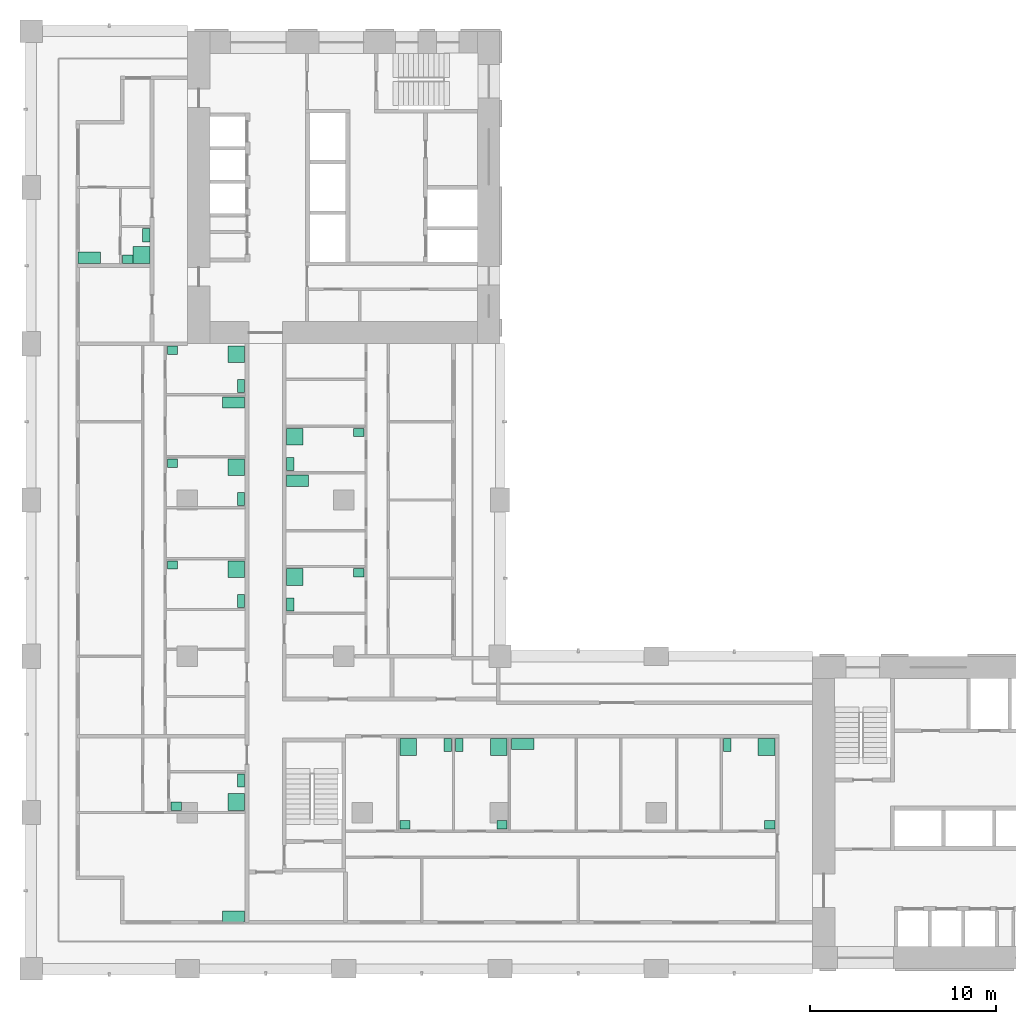
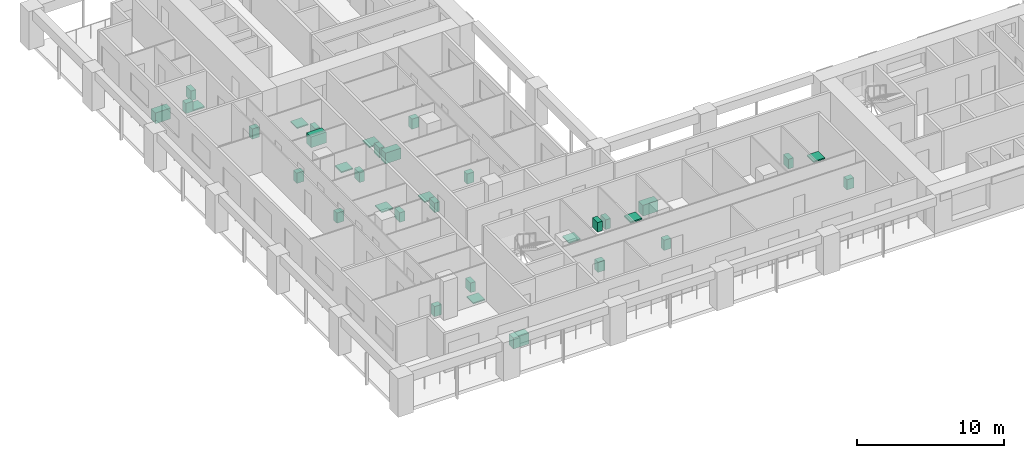
# One storey, part 16 of 16: 35 sanitary terminals.
"""IFC4 building model written with IfcOpenShell, lengths in metres."""

from ifc_helpers import new_model, si_unit, direction, frame, origin, origin_2d, place, context, subcontext, project, spatial, rectangle, extrude, material, element, save


model = new_model("IFC4")

# Units and contexts
model_context = context("Model", 3, precision=1e-05, world=origin(), true_north=direction((0.0, 1.0)))
body_context = subcontext(model_context, "Body", "Model", "MODEL_VIEW")
ifc_project = project(units=[si_unit("LENGTHUNIT", "METRE"), si_unit("AREAUNIT", "SQUARE_METRE"), si_unit("VOLUMEUNIT", "CUBIC_METRE"), si_unit("PLANEANGLEUNIT", "RADIAN"), si_unit("MASSUNIT", "GRAM", prefix="KILO")], contexts=[model_context])

# Site, building, storey
site_placement = place(None, origin())
site = spatial("IfcSite", under=ifc_project, at=site_placement, CompositionType="ELEMENT")
building_placement = place(site_placement, origin())
building = spatial("IfcBuilding", under=site, at=building_placement, Name="Vermilion Gate Residences", CompositionType="ELEMENT")
storey_placement = place(building_placement, frame((0.0, 0.0, 126.699951171875)))
storey = spatial("IfcBuildingStorey", under=building, at=storey_placement, Name="L32", CompositionType="ELEMENT", Elevation=126.699951171875)

# Sanitary terminals
ifc_material_1 = material(Name="Stainless steel", Category="steel")
sanitary_terminal_1_placement = place(storey_placement, frame((10.8798828125, 11.219970703125, 0.0), z_axis=(0.0, 0.0, 1.0), x_axis=(1.0, 0.0, 0.0)))
element("IfcSanitaryTerminal", 1, at=sanitary_terminal_1_placement, inside=storey, material=ifc_material_1, Name="Kitchen sink", PredefinedType="SINK", context=body_context, shape_type="SweptSolid", body=[
    extrude(rectangle(XDim=1.199951171875, YDim=0.60009765625, at=origin_2d()), origin(), (0.0, 0.0, 1.0), 0.89990234375),
])
ifc_material_2 = material(Name="Vitreous china")
sanitary_terminal_2_placement = place(storey_placement, frame((11.030029296875, 17.3701171875, 0.0), z_axis=(0.0, 0.0, 1.0), x_axis=(1.0, 0.0, 0.0)))
element("IfcSanitaryTerminal", 2, at=sanitary_terminal_2_placement, inside=storey, material=ifc_material_2, Name="Shower tray", PredefinedType="SHOWER", context=body_context, shape_type="SweptSolid", body=[
    extrude(rectangle(XDim=0.89990234375, YDim=0.89990234375, at=origin_2d()), origin(), (0.0, 0.0, 1.0), 0.10009765625),
])
sanitary_terminal_3_placement = place(storey_placement, frame((11.280029296875, 18.530029296875, 0.0), z_axis=(0.0, 0.0, 1.0), x_axis=(1.0, 0.0, 0.0)))
element("IfcSanitaryTerminal", 3, at=sanitary_terminal_3_placement, inside=storey, material=ifc_material_2, Name="Toilet", PredefinedType="TOILETPAN", context=body_context, shape_type="SweptSolid", body=[
    extrude(rectangle(XDim=0.39990234375, YDim=0.699951171875, at=origin_2d()), origin(), (0.0, 0.0, 1.0), 0.800048828125),
])
sanitary_terminal_4_placement = place(storey_placement, frame((7.794921875, 17.14501953125, 0.0), z_axis=(0.0, 0.0, 1.0), x_axis=(1.0, 0.0, 0.0)))
element("IfcSanitaryTerminal", 4, at=sanitary_terminal_4_placement, inside=storey, material=ifc_material_2, Name="Wash basin", PredefinedType="WASHHANDBASIN", context=body_context, shape_type="SweptSolid", body=[
    extrude(rectangle(XDim=0.550048828125, YDim=0.449951171875, at=origin_2d()), origin(), (0.0, 0.0, 1.0), 0.85009765625),
])
sanitary_terminal_5_placement = place(storey_placement, frame((20.27001953125, 20.330078125, 0.0), z_axis=(0.0, 0.0, 1.0), x_axis=(1.0, 0.0, 0.0)))
element("IfcSanitaryTerminal", 5, at=sanitary_terminal_5_placement, inside=storey, material=ifc_material_2, Name="Shower tray", PredefinedType="SHOWER", context=body_context, shape_type="SweptSolid", body=[
    extrude(rectangle(XDim=0.89990234375, YDim=0.89990234375, at=origin_2d()), origin(), (0.0, 0.0, 1.0), 0.10009765625),
])
sanitary_terminal_6_placement = place(storey_placement, frame((22.3798828125, 20.429931640625, 0.0), z_axis=(0.0, 0.0, 1.0), x_axis=(1.0, 0.0, 0.0)))
element("IfcSanitaryTerminal", 6, at=sanitary_terminal_6_placement, inside=storey, material=ifc_material_2, Name="Toilet", PredefinedType="TOILETPAN", context=body_context, shape_type="SweptSolid", body=[
    extrude(rectangle(XDim=0.39990234375, YDim=0.699951171875, at=origin_2d()), origin(), (0.0, 0.0, 1.0), 0.800048828125),
])
sanitary_terminal_7_placement = place(storey_placement, frame((20.094970703125, 16.14501953125, 0.0), z_axis=(0.0, 0.0, 1.0), x_axis=(1.0, 0.0, 0.0)))
element("IfcSanitaryTerminal", 7, at=sanitary_terminal_7_placement, inside=storey, material=ifc_material_2, Name="Wash basin", PredefinedType="WASHHANDBASIN", context=body_context, shape_type="SweptSolid", body=[
    extrude(rectangle(XDim=0.550048828125, YDim=0.449951171875, at=origin_2d()), origin(), (0.0, 0.0, 1.0), 0.85009765625),
])
sanitary_terminal_8_placement = place(storey_placement, frame((25.1298828125, 20.330078125, 0.0), z_axis=(0.0, 0.0, 1.0), x_axis=(1.0, 0.0, 0.0)))
element("IfcSanitaryTerminal", 8, at=sanitary_terminal_8_placement, inside=storey, material=ifc_material_2, Name="Shower tray", PredefinedType="SHOWER", context=body_context, shape_type="SweptSolid", body=[
    extrude(rectangle(XDim=0.89990234375, YDim=0.89990234375, at=origin_2d()), origin(), (0.0, 0.0, 1.0), 0.10009765625),
])
sanitary_terminal_9_placement = place(storey_placement, frame((23.02001953125, 20.429931640625, 0.0), z_axis=(0.0, 0.0, 1.0), x_axis=(1.0, 0.0, 0.0)))
element("IfcSanitaryTerminal", 9, at=sanitary_terminal_9_placement, inside=storey, material=ifc_material_2, Name="Toilet", PredefinedType="TOILETPAN", context=body_context, shape_type="SweptSolid", body=[
    extrude(rectangle(XDim=0.39990234375, YDim=0.699951171875, at=origin_2d()), origin(), (0.0, 0.0, 1.0), 0.800048828125),
])
sanitary_terminal_10_placement = place(storey_placement, frame((25.304931640625, 16.14501953125, 0.0), z_axis=(0.0, 0.0, 1.0), x_axis=(1.0, 0.0, 0.0)))
element("IfcSanitaryTerminal", 10, at=sanitary_terminal_10_placement, inside=storey, material=ifc_material_2, Name="Wash basin", PredefinedType="WASHHANDBASIN", context=body_context, shape_type="SweptSolid", body=[
    extrude(rectangle(XDim=0.550048828125, YDim=0.449951171875, at=origin_2d()), origin(), (0.0, 0.0, 1.0), 0.85009765625),
])
sanitary_terminal_11_placement = place(storey_placement, frame((26.419921875, 20.47998046875, 0.0), z_axis=(0.0, 0.0, 1.0), x_axis=(1.0, 0.0, 0.0)))
element("IfcSanitaryTerminal", 11, at=sanitary_terminal_11_placement, inside=storey, material=ifc_material_1, Name="Kitchen sink", PredefinedType="SINK", context=body_context, shape_type="SweptSolid", body=[
    extrude(rectangle(XDim=1.199951171875, YDim=0.60009765625, at=origin_2d()), origin(), (0.0, 0.0, 1.0), 0.89990234375),
])
sanitary_terminal_12_placement = place(storey_placement, frame((39.530029296875, 20.330078125, 0.0), z_axis=(0.0, 0.0, 1.0), x_axis=(1.0, 0.0, 0.0)))
element("IfcSanitaryTerminal", 12, at=sanitary_terminal_12_placement, inside=storey, material=ifc_material_2, Name="Shower tray", PredefinedType="SHOWER", context=body_context, shape_type="SweptSolid", body=[
    extrude(rectangle(XDim=0.89990234375, YDim=0.89990234375, at=origin_2d()), origin(), (0.0, 0.0, 1.0), 0.10009765625),
])
sanitary_terminal_13_placement = place(storey_placement, frame((37.419921875, 20.429931640625, 0.0), z_axis=(0.0, 0.0, 1.0), x_axis=(1.0, 0.0, 0.0)))
element("IfcSanitaryTerminal", 13, at=sanitary_terminal_13_placement, inside=storey, material=ifc_material_2, Name="Toilet", PredefinedType="TOILETPAN", context=body_context, shape_type="SweptSolid", body=[
    extrude(rectangle(XDim=0.39990234375, YDim=0.699951171875, at=origin_2d()), origin(), (0.0, 0.0, 1.0), 0.800048828125),
])
sanitary_terminal_14_placement = place(storey_placement, frame((39.705078125, 16.14501953125, 0.0), z_axis=(0.0, 0.0, 1.0), x_axis=(1.0, 0.0, 0.0)))
element("IfcSanitaryTerminal", 14, at=sanitary_terminal_14_placement, inside=storey, material=ifc_material_2, Name="Wash basin", PredefinedType="WASHHANDBASIN", context=body_context, shape_type="SweptSolid", body=[
    extrude(rectangle(XDim=0.550048828125, YDim=0.449951171875, at=origin_2d()), origin(), (0.0, 0.0, 1.0), 0.85009765625),
])
sanitary_terminal_15_placement = place(storey_placement, frame((11.030029296875, 29.8798828125, 0.0), z_axis=(0.0, 0.0, 1.0), x_axis=(1.0, 0.0, 0.0)))
element("IfcSanitaryTerminal", 15, at=sanitary_terminal_15_placement, inside=storey, material=ifc_material_2, Name="Shower tray", PredefinedType="SHOWER", context=body_context, shape_type="SweptSolid", body=[
    extrude(rectangle(XDim=0.89990234375, YDim=0.89990234375, at=origin_2d()), origin(), (0.0, 0.0, 1.0), 0.10009765625),
])
sanitary_terminal_16_placement = place(storey_placement, frame((11.280029296875, 28.18310546875, 0.0), z_axis=(0.0, 0.0, 1.0), x_axis=(1.0, 0.0, 0.0)))
element("IfcSanitaryTerminal", 16, at=sanitary_terminal_16_placement, inside=storey, material=ifc_material_2, Name="Toilet", PredefinedType="TOILETPAN", context=body_context, shape_type="SweptSolid", body=[
    extrude(rectangle(XDim=0.39990234375, YDim=0.699951171875, at=origin_2d()), origin(), (0.0, 0.0, 1.0), 0.800048828125),
])
sanitary_terminal_17_placement = place(storey_placement, frame((7.594970703125, 30.10498046875, 0.0), z_axis=(0.0, 0.0, 1.0), x_axis=(1.0, 0.0, 0.0)))
element("IfcSanitaryTerminal", 17, at=sanitary_terminal_17_placement, inside=storey, material=ifc_material_2, Name="Wash basin", PredefinedType="WASHHANDBASIN", context=body_context, shape_type="SweptSolid", body=[
    extrude(rectangle(XDim=0.550048828125, YDim=0.449951171875, at=origin_2d()), origin(), (0.0, 0.0, 1.0), 0.85009765625),
])
sanitary_terminal_18_placement = place(storey_placement, frame((11.030029296875, 35.35498046875, 0.0), z_axis=(0.0, 0.0, 1.0), x_axis=(1.0, 0.0, 0.0)))
element("IfcSanitaryTerminal", 18, at=sanitary_terminal_18_placement, inside=storey, material=ifc_material_2, Name="Shower tray", PredefinedType="SHOWER", context=body_context, shape_type="SweptSolid", body=[
    extrude(rectangle(XDim=0.89990234375, YDim=0.89990234375, at=origin_2d()), origin(), (0.0, 0.0, 1.0), 0.10009765625),
])
sanitary_terminal_19_placement = place(storey_placement, frame((11.280029296875, 33.657958984375, 0.0), z_axis=(0.0, 0.0, 1.0), x_axis=(1.0, 0.0, 0.0)))
element("IfcSanitaryTerminal", 19, at=sanitary_terminal_19_placement, inside=storey, material=ifc_material_2, Name="Toilet", PredefinedType="TOILETPAN", context=body_context, shape_type="SweptSolid", body=[
    extrude(rectangle(XDim=0.39990234375, YDim=0.699951171875, at=origin_2d()), origin(), (0.0, 0.0, 1.0), 0.800048828125),
])
sanitary_terminal_20_placement = place(storey_placement, frame((7.594970703125, 35.580078125, 0.0), z_axis=(0.0, 0.0, 1.0), x_axis=(1.0, 0.0, 0.0)))
element("IfcSanitaryTerminal", 20, at=sanitary_terminal_20_placement, inside=storey, material=ifc_material_2, Name="Wash basin", PredefinedType="WASHHANDBASIN", context=body_context, shape_type="SweptSolid", body=[
    extrude(rectangle(XDim=0.550048828125, YDim=0.449951171875, at=origin_2d()), origin(), (0.0, 0.0, 1.0), 0.85009765625),
])
sanitary_terminal_21_placement = place(storey_placement, frame((10.8798828125, 38.843017578125, 0.0), z_axis=(0.0, 0.0, 1.0), x_axis=(1.0, 0.0, 0.0)))
element("IfcSanitaryTerminal", 21, at=sanitary_terminal_21_placement, inside=storey, material=ifc_material_1, Name="Kitchen sink", PredefinedType="SINK", context=body_context, shape_type="SweptSolid", body=[
    extrude(rectangle(XDim=1.199951171875, YDim=0.60009765625, at=origin_2d()), origin(), (0.0, 0.0, 1.0), 0.89990234375),
])
sanitary_terminal_22_placement = place(storey_placement, frame((11.030029296875, 41.429931640625, 0.0), z_axis=(0.0, 0.0, 1.0), x_axis=(1.0, 0.0, 0.0)))
element("IfcSanitaryTerminal", 22, at=sanitary_terminal_22_placement, inside=storey, material=ifc_material_2, Name="Shower tray", PredefinedType="SHOWER", context=body_context, shape_type="SweptSolid", body=[
    extrude(rectangle(XDim=0.89990234375, YDim=0.89990234375, at=origin_2d()), origin(), (0.0, 0.0, 1.0), 0.10009765625),
])
sanitary_terminal_23_placement = place(storey_placement, frame((11.280029296875, 39.73291015625, 0.0), z_axis=(0.0, 0.0, 1.0), x_axis=(1.0, 0.0, 0.0)))
element("IfcSanitaryTerminal", 23, at=sanitary_terminal_23_placement, inside=storey, material=ifc_material_2, Name="Toilet", PredefinedType="TOILETPAN", context=body_context, shape_type="SweptSolid", body=[
    extrude(rectangle(XDim=0.39990234375, YDim=0.699951171875, at=origin_2d()), origin(), (0.0, 0.0, 1.0), 0.800048828125),
])
sanitary_terminal_24_placement = place(storey_placement, frame((7.594970703125, 41.655029296875, 0.0), z_axis=(0.0, 0.0, 1.0), x_axis=(1.0, 0.0, 0.0)))
element("IfcSanitaryTerminal", 24, at=sanitary_terminal_24_placement, inside=storey, material=ifc_material_2, Name="Wash basin", PredefinedType="WASHHANDBASIN", context=body_context, shape_type="SweptSolid", body=[
    extrude(rectangle(XDim=0.550048828125, YDim=0.449951171875, at=origin_2d()), origin(), (0.0, 0.0, 1.0), 0.85009765625),
])
sanitary_terminal_25_placement = place(storey_placement, frame((14.169921875, 29.458984375, 0.0), z_axis=(0.0, 0.0, 1.0), x_axis=(1.0, 0.0, 0.0)))
element("IfcSanitaryTerminal", 25, at=sanitary_terminal_25_placement, inside=storey, material=ifc_material_2, Name="Shower tray", PredefinedType="SHOWER", context=body_context, shape_type="SweptSolid", body=[
    extrude(rectangle(XDim=0.89990234375, YDim=0.89990234375, at=origin_2d()), origin(), (0.0, 0.0, 1.0), 0.10009765625),
])
sanitary_terminal_26_placement = place(storey_placement, frame((13.919921875, 27.98388671875, 0.0), z_axis=(0.0, 0.0, 1.0), x_axis=(1.0, 0.0, 0.0)))
element("IfcSanitaryTerminal", 26, at=sanitary_terminal_26_placement, inside=storey, material=ifc_material_2, Name="Toilet", PredefinedType="TOILETPAN", context=body_context, shape_type="SweptSolid", body=[
    extrude(rectangle(XDim=0.39990234375, YDim=0.699951171875, at=origin_2d()), origin(), (0.0, 0.0, 1.0), 0.800048828125),
])
sanitary_terminal_27_placement = place(storey_placement, frame((17.60498046875, 29.68408203125, 0.0), z_axis=(0.0, 0.0, 1.0), x_axis=(1.0, 0.0, 0.0)))
element("IfcSanitaryTerminal", 27, at=sanitary_terminal_27_placement, inside=storey, material=ifc_material_2, Name="Wash basin", PredefinedType="WASHHANDBASIN", context=body_context, shape_type="SweptSolid", body=[
    extrude(rectangle(XDim=0.550048828125, YDim=0.449951171875, at=origin_2d()), origin(), (0.0, 0.0, 1.0), 0.85009765625),
])
sanitary_terminal_28_placement = place(storey_placement, frame((14.320068359375, 34.636962890625, 0.0), z_axis=(0.0, 0.0, 1.0), x_axis=(1.0, 0.0, 0.0)))
element("IfcSanitaryTerminal", 28, at=sanitary_terminal_28_placement, inside=storey, material=ifc_material_1, Name="Kitchen sink", PredefinedType="SINK", context=body_context, shape_type="SweptSolid", body=[
    extrude(rectangle(XDim=1.199951171875, YDim=0.60009765625, at=origin_2d()), origin(), (0.0, 0.0, 1.0), 0.89990234375),
])
sanitary_terminal_29_placement = place(storey_placement, frame((14.169921875, 37.001953125, 0.0), z_axis=(0.0, 0.0, 1.0), x_axis=(1.0, 0.0, 0.0)))
element("IfcSanitaryTerminal", 29, at=sanitary_terminal_29_placement, inside=storey, material=ifc_material_2, Name="Shower tray", PredefinedType="SHOWER", context=body_context, shape_type="SweptSolid", body=[
    extrude(rectangle(XDim=0.89990234375, YDim=0.89990234375, at=origin_2d()), origin(), (0.0, 0.0, 1.0), 0.10009765625),
])
sanitary_terminal_30_placement = place(storey_placement, frame((13.919921875, 35.527099609375, 0.0), z_axis=(0.0, 0.0, 1.0), x_axis=(1.0, 0.0, 0.0)))
element("IfcSanitaryTerminal", 30, at=sanitary_terminal_30_placement, inside=storey, material=ifc_material_2, Name="Toilet", PredefinedType="TOILETPAN", context=body_context, shape_type="SweptSolid", body=[
    extrude(rectangle(XDim=0.39990234375, YDim=0.699951171875, at=origin_2d()), origin(), (0.0, 0.0, 1.0), 0.800048828125),
])
sanitary_terminal_31_placement = place(storey_placement, frame((17.60498046875, 37.22705078125, 0.0), z_axis=(0.0, 0.0, 1.0), x_axis=(1.0, 0.0, 0.0)))
element("IfcSanitaryTerminal", 31, at=sanitary_terminal_31_placement, inside=storey, material=ifc_material_2, Name="Wash basin", PredefinedType="WASHHANDBASIN", context=body_context, shape_type="SweptSolid", body=[
    extrude(rectangle(XDim=0.550048828125, YDim=0.449951171875, at=origin_2d()), origin(), (0.0, 0.0, 1.0), 0.85009765625),
])
sanitary_terminal_32_placement = place(storey_placement, frame((3.1201171875, 46.6201171875, 0.0), z_axis=(0.0, 0.0, 1.0), x_axis=(1.0, 0.0, 0.0)))
element("IfcSanitaryTerminal", 32, at=sanitary_terminal_32_placement, inside=storey, material=ifc_material_1, Name="Kitchen sink", PredefinedType="SINK", context=body_context, shape_type="SweptSolid", body=[
    extrude(rectangle(XDim=1.199951171875, YDim=0.60009765625, at=origin_2d()), origin(), (0.0, 0.0, 1.0), 0.89990234375),
])
sanitary_terminal_33_placement = place(storey_placement, frame((5.929931640625, 46.77001953125, 0.0), z_axis=(0.0, 0.0, 1.0), x_axis=(1.0, 0.0, 0.0)))
element("IfcSanitaryTerminal", 33, at=sanitary_terminal_33_placement, inside=storey, material=ifc_material_2, Name="Shower tray", PredefinedType="SHOWER", context=body_context, shape_type="SweptSolid", body=[
    extrude(rectangle(XDim=0.89990234375, YDim=0.89990234375, at=origin_2d()), origin(), (0.0, 0.0, 1.0), 0.10009765625),
])
sanitary_terminal_34_placement = place(storey_placement, frame((6.179931640625, 47.830078125, 0.0), z_axis=(0.0, 0.0, 1.0), x_axis=(1.0, 0.0, 0.0)))
element("IfcSanitaryTerminal", 34, at=sanitary_terminal_34_placement, inside=storey, material=ifc_material_2, Name="Toilet", PredefinedType="TOILETPAN", context=body_context, shape_type="SweptSolid", body=[
    extrude(rectangle(XDim=0.39990234375, YDim=0.699951171875, at=origin_2d()), origin(), (0.0, 0.0, 1.0), 0.800048828125),
])
sanitary_terminal_35_placement = place(storey_placement, frame((5.195068359375, 46.544921875, 0.0), z_axis=(0.0, 0.0, 1.0), x_axis=(1.0, 0.0, 0.0)))
element("IfcSanitaryTerminal", 35, at=sanitary_terminal_35_placement, inside=storey, material=ifc_material_2, Name="Wash basin", PredefinedType="WASHHANDBASIN", context=body_context, shape_type="SweptSolid", body=[
    extrude(rectangle(XDim=0.550048828125, YDim=0.449951171875, at=origin_2d()), origin(), (0.0, 0.0, 1.0), 0.85009765625),
])

save(model, "model.ifc")
